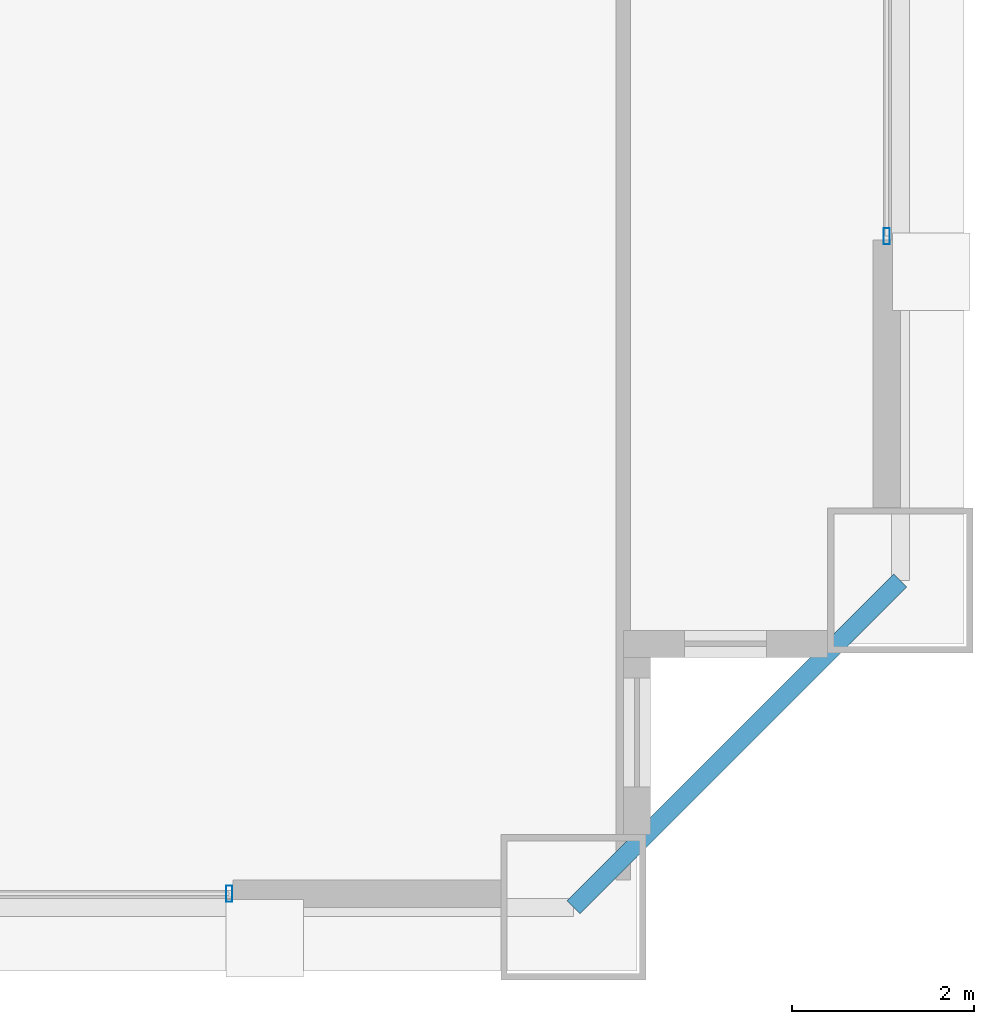
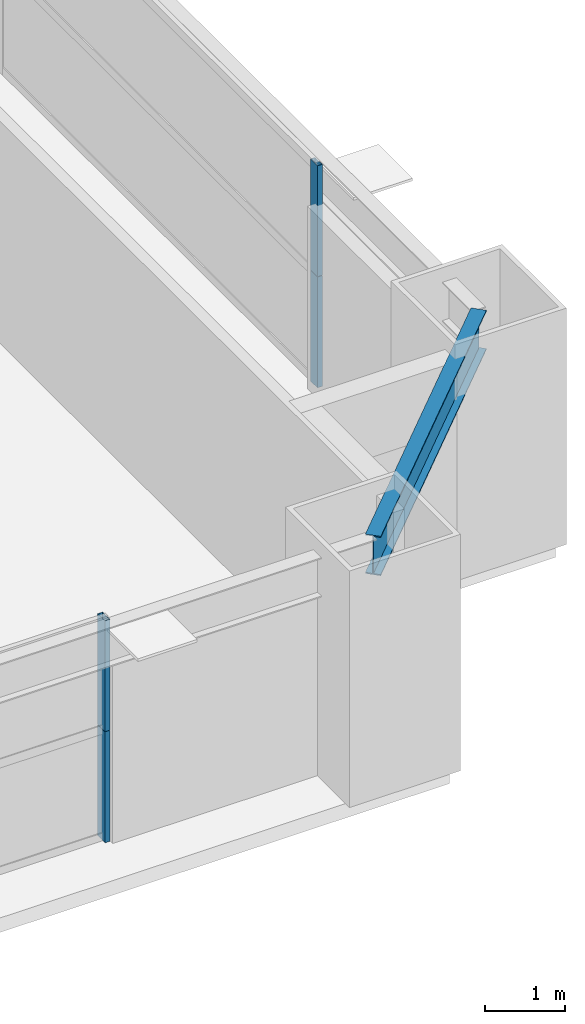
# One storey, part 15 of 38: 4 members, 1 beam, 2 elements without a shape of their own.
"""IFC4 building model written with IfcOpenShell, lengths in metres."""

from ifc_helpers import new_model, si_unit, direction, frame, origin, origin_2d, place, context, subcontext, project, spatial, hollow_rectangle, i_section, extrude, source, transform, mapped, material, layer, layer_set, material_profile, profile_set, type_object, element, aggregate, save


model = new_model("IFC4")

# Units and contexts
model_context = context("Model", 3, precision=1e-05, world=origin(), true_north=direction((0.0, 1.0)))
body_context = subcontext(model_context, "Body", "Model", "MODEL_VIEW")
ifc_project = project(units=[si_unit("LENGTHUNIT", "METRE"), si_unit("AREAUNIT", "SQUARE_METRE"), si_unit("VOLUMEUNIT", "CUBIC_METRE"), si_unit("PLANEANGLEUNIT", "RADIAN"), si_unit("MASSUNIT", "GRAM", prefix="KILO"), si_unit("THERMODYNAMICTEMPERATUREUNIT", "KELVIN"), si_unit("POWERUNIT", "WATT")], contexts=[model_context])

# Site, building, storey
site_placement = place(None, origin())
site = spatial("IfcSite", under=ifc_project, at=site_placement, CompositionType="ELEMENT")
building_placement = place(site_placement, origin())
building = spatial("IfcBuilding", under=site, at=building_placement, Name="Yuzanri Waterfront Tower", CompositionType="ELEMENT")
storey_placement = place(building_placement, frame((0.0, 0.0, 111.800048828125)))
storey = spatial("IfcBuildingStorey", under=building, at=storey_placement, Name="L29", CompositionType="ELEMENT", Elevation=111.800048828125)

# Beam
ifc_material_1 = material(Name="Steel Q355B", Category="steel")
ifc_material_profile_1 = material_profile(ifc_material_1, i_section(OverallWidth=0.199951171875, OverallDepth=0.60009765625, WebThickness=0.010986328125, FlangeThickness=0.01708984375, at=origin_2d()), Name="HN 600x200x11x17")
ifc_profile_set_1 = profile_set([ifc_material_profile_1], Name="Steel Q355B")
beam_type = type_object("IfcBeamType", Name="Perimeter Spandrel Q355B HN 600x200", PredefinedType="SPANDREL", material=ifc_profile_set_1)
shared_shape_1 = source(origin(), body_context, "Body", "SweptSolid", [
    extrude(i_section(OverallWidth=0.199951171875, OverallDepth=0.60009765625, WebThickness=0.010986328125, FlangeThickness=0.01708984375, at=origin_2d()), origin(), (0.0, 0.0, 1.0), 5.09130859375),
])
beam_placement = place(storey_placement, frame((57.0, 2.199951171875, 3.079833984375), z_axis=(0.707106781187, 0.707106781187, 0.0), x_axis=(-0.707106781187, 0.707106781187, 0.0)))
element("IfcBeam", 1, at=beam_placement, inside=storey, type_object=beam_type, Name="L29 Perimeter Spandrel S3-E1", PredefinedType="SPANDREL", context=body_context, shape_type="MappedRepresentation", body=[
    mapped(shared_shape_1, transform((0.0, 0.0, 0.0), scale=1.0)),
])

# Curtain wall, members
ifc_material_2 = material(Name="Anodized Architectural Bronze", Category="metal")
ifc_layer = layer(ifc_material_2, 0.159912109375)
ifc_layer_set = layer_set([ifc_layer], Name="Anodized Architectural Bronze")
curtain_wall_type = type_object("IfcCurtainWallType", Name="Anodized Bronze Hotel Upper-Tier Solar-Control Unitized Curtain Wall 7800", PredefinedType="NOTDEFINED", material=ifc_layer_set)
curtain_wall_1_placement = place(storey_placement, origin())
curtain_wall_1 = element("IfcCurtainWall", 2, at=curtain_wall_1_placement, inside=storey, type_object=curtain_wall_type, Name="L29 Curtain Wall CW-L29-SR", PredefinedType="NOTDEFINED")
ifc_material_3 = material(Name="Anodized Architectural Bronze", Category="metal")
ifc_material_profile_2 = material_profile(ifc_material_3, hollow_rectangle(XDim=0.070068359375, YDim=0.179931640625, WallThickness=0.00390625, at=origin_2d()), Name="CWM 70x180")
ifc_profile_set_2 = profile_set([ifc_material_profile_2], Name="Anodized Architectural Bronze")
member_type = type_object("IfcMemberType", Name="Anodized Bronze Standard Curtain-Wall Mullion 70x180", PredefinedType="MULLION", material=ifc_profile_set_2)
shared_shape_2 = source(origin(), body_context, "Body", "SweptSolid", [
    extrude(hollow_rectangle(XDim=0.070068359375, YDim=0.179931640625, WallThickness=0.00390625, at=origin_2d()), origin(), (0.0, 0.0, 1.0), 1.68798828125),
])
member_1_placement = place(storey_placement, frame((53.2099609375, 2.35009765625, 0.0), z_axis=(0.0, 0.0, 1.0), x_axis=(1.0, 0.0, 0.0)))
member_1 = element("IfcMember", 3, at=member_1_placement, type_object=member_type, Name="CW-L29-SR Lower Mullion 02", PredefinedType="MULLION", context=body_context, shape_type="MappedRepresentation", body=[
    mapped(shared_shape_2, transform((0.0, 0.0, 0.0), scale=1.0)),
])
member_2_placement = place(storey_placement, frame((53.2099609375, 2.35009765625, 1.69189453125), z_axis=(0.0, 0.0, 1.0), x_axis=(1.0, 0.0, 0.0)))
member_2 = element("IfcMember", 4, at=member_2_placement, type_object=member_type, Name="CW-L29-SR Upper Mullion 02", PredefinedType="MULLION", context=body_context, shape_type="MappedRepresentation", body=[
    mapped(shared_shape_2, transform((0.0, 0.0, 0.0), scale=1.0)),
])
aggregate(curtain_wall_1, [member_1, member_2])

curtain_wall_2_placement = place(storey_placement, origin())
curtain_wall_2 = element("IfcCurtainWall", 5, at=curtain_wall_2_placement, inside=storey, type_object=curtain_wall_type, Name="L29 Curtain Wall CW-L29-EL", PredefinedType="NOTDEFINED")
member_3_placement = place(storey_placement, frame((60.449951171875, 9.590087890625, 0.0), z_axis=(0.0, 0.0, 1.0), x_axis=(1.0, 0.0, 0.0)))
member_3 = element("IfcMember", 6, at=member_3_placement, type_object=member_type, Name="CW-L29-EL Lower Mullion 00", PredefinedType="MULLION", context=body_context, shape_type="MappedRepresentation", body=[
    mapped(shared_shape_2, transform((0.0, 0.0, 0.0), scale=1.0)),
])
member_4_placement = place(storey_placement, frame((60.449951171875, 9.590087890625, 1.69189453125), z_axis=(0.0, 0.0, 1.0), x_axis=(1.0, 0.0, 0.0)))
member_4 = element("IfcMember", 7, at=member_4_placement, type_object=member_type, Name="CW-L29-EL Upper Mullion 00", PredefinedType="MULLION", context=body_context, shape_type="MappedRepresentation", body=[
    mapped(shared_shape_2, transform((0.0, 0.0, 0.0), scale=1.0)),
])
aggregate(curtain_wall_2, [member_3, member_4])

save(model, "model.ifc")
